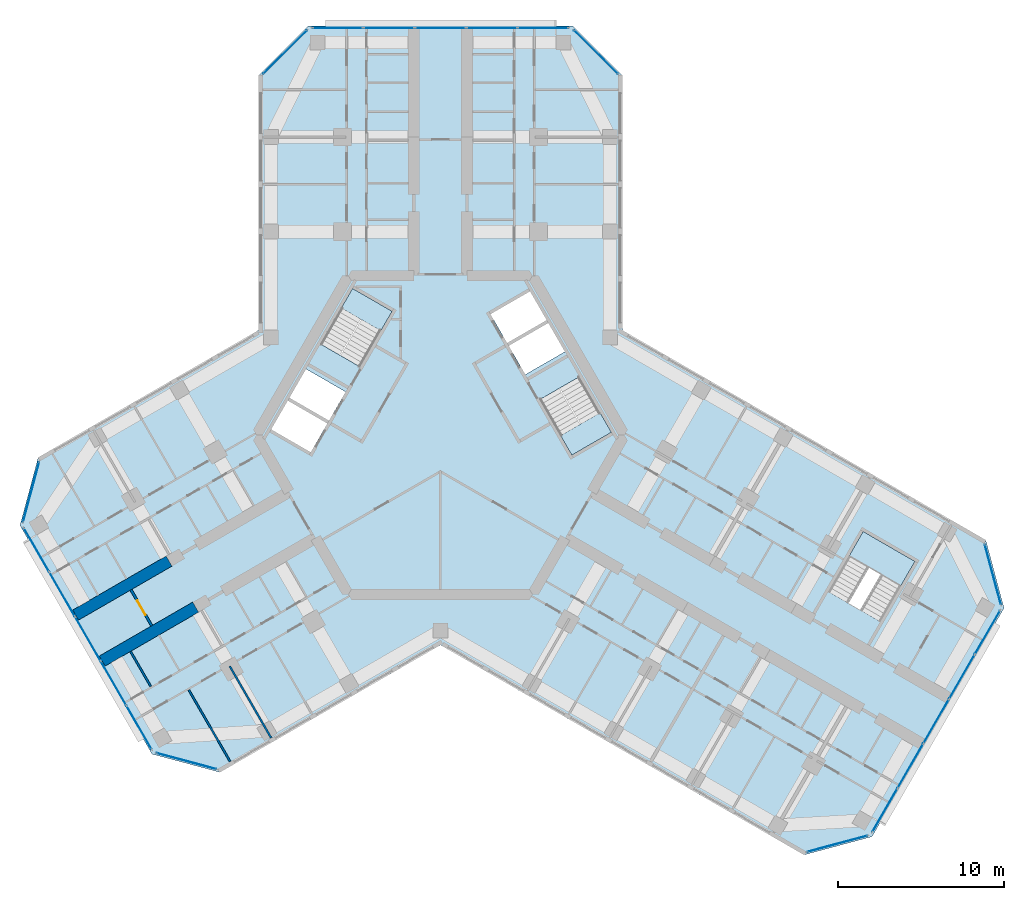
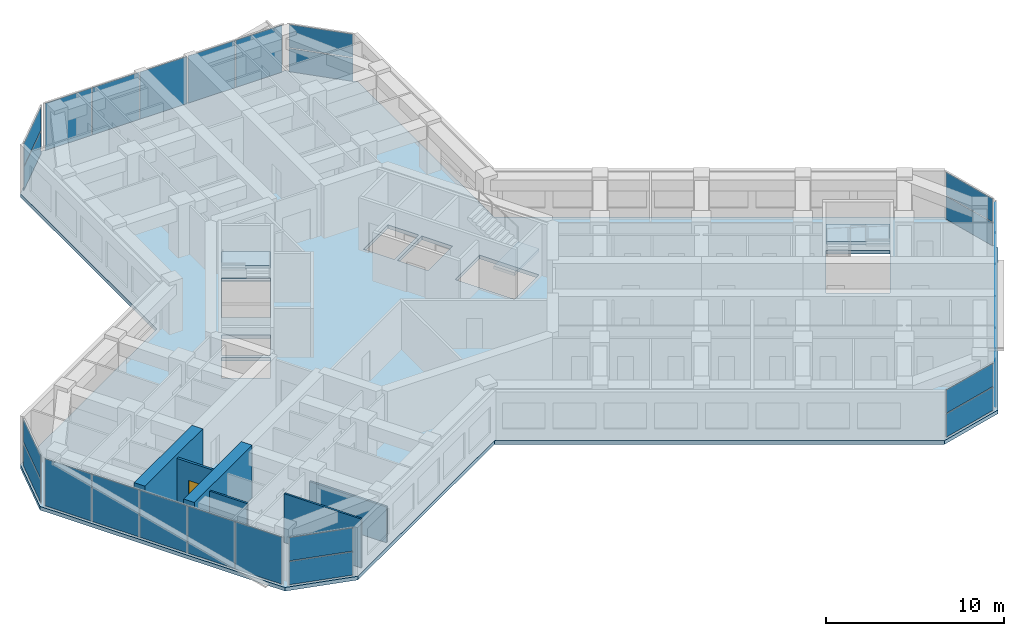
# One storey, part 7 of 16: 27 plates, 6 walls, 4 slabs, 1 door, 1 opening, 12 elements without a shape of their own.
"""IFC4 building model written with IfcOpenShell, lengths in metres."""

from ifc_helpers import new_model, si_unit, direction, frame, frame_2d, origin, origin_2d, place, context, subcontext, project, spatial, polyline, rectangle, outline, extrude, material, layer, layer_set, type_object, element, fill, aggregate, save


model = new_model("IFC4")

# Units and contexts
model_context = context("Model", 3, precision=1e-05, world=origin(), true_north=direction((0.0, 1.0)))
body_context = subcontext(model_context, "Body", "Model", "MODEL_VIEW")
ifc_project = project(units=[si_unit("LENGTHUNIT", "METRE"), si_unit("AREAUNIT", "SQUARE_METRE"), si_unit("VOLUMEUNIT", "CUBIC_METRE"), si_unit("PLANEANGLEUNIT", "RADIAN"), si_unit("MASSUNIT", "GRAM", prefix="KILO")], contexts=[model_context])

# Site, building, storey
site_placement = place(None, origin())
site = spatial("IfcSite", under=ifc_project, at=site_placement, CompositionType="ELEMENT")
building_placement = place(site_placement, origin())
building = spatial("IfcBuilding", under=site, at=building_placement, Name="Kosmar Iwan School Tower", CompositionType="ELEMENT")
storey_placement = place(building_placement, frame((0.0, 0.0, 211.800048828125)))
storey = spatial("IfcBuildingStorey", under=building, at=storey_placement, Name="L53", CompositionType="ELEMENT", Elevation=211.800048828125)

# Curtain wall, plates
ifc_material_1 = material(Name="Dark glass in black aluminium frame", Category="aluminium")
curtain_wall_type_1 = type_object("IfcCurtainWallType", Name="Chamfer curtain wall dark glass", PredefinedType="USERDEFINED", material=ifc_material_1)
curtain_wall_1_placement = place(storey_placement, origin())
curtain_wall_1 = element("IfcCurtainWall", 1, at=curtain_wall_1_placement, inside=storey, type_object=curtain_wall_type_1, Name="Curtain wall L53-F00", ObjectType="FACETED CURTAIN WALL", PredefinedType="USERDEFINED")
ifc_material_2 = material(Name="Dark glass", Category="glass")
ifc_layer_1 = layer(ifc_material_2, 0.028076171875)
ifc_layer_set_1 = layer_set([ifc_layer_1], Name="Dark glass panel 28")
plate_type = type_object("IfcPlateType", Name="Dark glass panel 28", PredefinedType="CURTAIN_PANEL", material=ifc_layer_set_1)
plate_1_placement = place(storey_placement, frame((23.908203125, -24.61328125, 0.06005859375), z_axis=(0.0, 0.0, 1.0), x_axis=(0.965925875495, 0.258818861462, 0.0)))
plate_1 = element("IfcPlate", 2, at=plate_1_placement, type_object=plate_type, Name="CW2 panel 1.1", PredefinedType="CURTAIN_PANEL", context=body_context, shape_type="SweptSolid", body=[
    extrude(rectangle(XDim=3.718994140625, YDim=0.028076171875, at=origin_2d()), origin(), (0.0, 0.0, 1.0), 1.5849609375),
])
plate_2_placement = place(storey_placement, frame((23.908203125, -24.61328125, 1.705078125), z_axis=(0.0, 0.0, 1.0), x_axis=(0.965925875495, 0.258818861462, 0.0)))
plate_2 = element("IfcPlate", 3, at=plate_2_placement, type_object=plate_type, Name="CW2 panel 1.2", PredefinedType="CURTAIN_PANEL", context=body_context, shape_type="SweptSolid", body=[
    extrude(rectangle(XDim=3.718994140625, YDim=0.028076171875, at=origin_2d()), origin(), (0.0, 0.0, 1.0), 1.5849609375),
])
aggregate(curtain_wall_1, [plate_1, plate_2])

ifc_material_3 = material(Name="Dark glass in black aluminium frame", Category="aluminium")
curtain_wall_type_2 = type_object("IfcCurtainWallType", Name="Tower curtain wall dark glass", PredefinedType="USERDEFINED", material=ifc_material_3)
curtain_wall_2_placement = place(storey_placement, origin())
curtain_wall_2 = element("IfcCurtainWall", 4, at=curtain_wall_2_placement, inside=storey, type_object=curtain_wall_type_2, Name="Curtain wall L53-F01", ObjectType="UNITISED CURTAIN WALL", PredefinedType="USERDEFINED")
plate_3_placement = place(storey_placement, frame((26.764404296875, -22.592529296875, 0.06005859375), z_axis=(0.0, 0.0, 1.0), x_axis=(0.499999997325, 0.866025405329, 0.0)))
plate_3 = element("IfcPlate", 5, at=plate_3_placement, type_object=plate_type, Name="CW1 panel 1.1", PredefinedType="CURTAIN_PANEL", context=body_context, shape_type="SweptSolid", body=[
    extrude(rectangle(XDim=3.00927734375, YDim=0.028076171875, at=origin_2d()), origin(), (0.0, 0.0, 1.0), 3.22998046875),
])
plate_4_placement = place(storey_placement, frame((28.306640625, -19.921630859375, 0.06005859375), z_axis=(0.0, 0.0, 1.0), x_axis=(0.499999997325, 0.866025405329, 0.0)))
plate_4 = element("IfcPlate", 6, at=plate_4_placement, type_object=plate_type, Name="CW1 panel 2.1", PredefinedType="CURTAIN_PANEL", context=body_context, shape_type="SweptSolid", body=[
    extrude(rectangle(XDim=3.039306640625, YDim=0.028076171875, at=origin_2d()), origin(), (0.0, 0.0, 1.0), 3.22998046875),
])
plate_5_placement = place(storey_placement, frame((29.856201171875, -17.237548828125, 0.06005859375), z_axis=(0.0, 0.0, 1.0), x_axis=(0.499999997325, 0.866025405329, 0.0)))
plate_5 = element("IfcPlate", 7, at=plate_5_placement, type_object=plate_type, Name="CW1 panel 3.1", PredefinedType="CURTAIN_PANEL", context=body_context, shape_type="SweptSolid", body=[
    extrude(rectangle(XDim=3.039306640625, YDim=0.028076171875, at=origin_2d()), origin(), (0.0, 0.0, 1.0), 3.22998046875),
])
plate_6_placement = place(storey_placement, frame((31.40576171875, -14.553466796875, 0.06005859375), z_axis=(0.0, 0.0, 1.0), x_axis=(0.499999997325, 0.866025405329, 0.0)))
plate_6 = element("IfcPlate", 8, at=plate_6_placement, type_object=plate_type, Name="CW1 panel 4.1", PredefinedType="CURTAIN_PANEL", context=body_context, shape_type="SweptSolid", body=[
    extrude(rectangle(XDim=3.039306640625, YDim=0.028076171875, at=origin_2d()), origin(), (0.0, 0.0, 1.0), 3.22998046875),
])
plate_7_placement = place(storey_placement, frame((32.947998046875, -11.88232421875, 0.06005859375), z_axis=(0.0, 0.0, 1.0), x_axis=(0.499999997325, 0.866025405329, 0.0)))
plate_7 = element("IfcPlate", 9, at=plate_7_placement, type_object=plate_type, Name="CW1 panel 5.1", PredefinedType="CURTAIN_PANEL", context=body_context, shape_type="SweptSolid", body=[
    extrude(rectangle(XDim=3.00927734375, YDim=0.028076171875, at=origin_2d()), origin(), (0.0, 0.0, 1.0), 3.22998046875),
])
aggregate(curtain_wall_2, [plate_3, plate_4, plate_5, plate_6, plate_7])

curtain_wall_3_placement = place(storey_placement, origin())
curtain_wall_3 = element("IfcCurtainWall", 10, at=curtain_wall_3_placement, inside=storey, type_object=curtain_wall_type_1, Name="Curtain wall L53-F02", ObjectType="FACETED CURTAIN WALL", PredefinedType="USERDEFINED")
plate_8_placement = place(storey_placement, frame((33.269775390625, -8.3984375, 0.06005859375), z_axis=(0.0, 0.0, 1.0), x_axis=(-0.258818861462, 0.965925875495, 0.0)))
plate_8 = element("IfcPlate", 11, at=plate_8_placement, type_object=plate_type, Name="CW2 panel 1.1", PredefinedType="CURTAIN_PANEL", context=body_context, shape_type="SweptSolid", body=[
    extrude(rectangle(XDim=3.718994140625, YDim=0.028076171875, at=origin_2d()), origin(), (0.0, 0.0, 1.0), 1.5849609375),
])
plate_9_placement = place(storey_placement, frame((33.269775390625, -8.3984375, 1.705078125), z_axis=(0.0, 0.0, 1.0), x_axis=(-0.258818861462, 0.965925875495, 0.0)))
plate_9 = element("IfcPlate", 12, at=plate_9_placement, type_object=plate_type, Name="CW2 panel 1.2", PredefinedType="CURTAIN_PANEL", context=body_context, shape_type="SweptSolid", body=[
    extrude(rectangle(XDim=3.718994140625, YDim=0.028076171875, at=origin_2d()), origin(), (0.0, 0.0, 1.0), 1.5849609375),
])
aggregate(curtain_wall_3, [plate_8, plate_9])

curtain_wall_4_placement = place(storey_placement, origin())
curtain_wall_4 = element("IfcCurtainWall", 13, at=curtain_wall_4_placement, inside=storey, type_object=curtain_wall_type_1, Name="Curtain wall L53-F05", ObjectType="FACETED CURTAIN WALL", PredefinedType="USERDEFINED")
plate_10_placement = place(storey_placement, frame((9.361572265625, 23.0615234375, 0.06005859375), z_axis=(0.0, 0.0, 1.0), x_axis=(-0.707106781187, 0.707106781187, 0.0)))
plate_10 = element("IfcPlate", 14, at=plate_10_placement, type_object=plate_type, Name="CW2 panel 1.1", PredefinedType="CURTAIN_PANEL", context=body_context, shape_type="SweptSolid", body=[
    extrude(rectangle(XDim=3.718994140625, YDim=0.028076171875, at=origin_2d()), origin(), (0.0, 0.0, 1.0), 1.5849609375),
])
plate_11_placement = place(storey_placement, frame((9.361572265625, 23.0615234375, 1.705078125), z_axis=(0.0, 0.0, 1.0), x_axis=(-0.707106781187, 0.707106781187, 0.0)))
plate_11 = element("IfcPlate", 15, at=plate_11_placement, type_object=plate_type, Name="CW2 panel 1.2", PredefinedType="CURTAIN_PANEL", context=body_context, shape_type="SweptSolid", body=[
    extrude(rectangle(XDim=3.718994140625, YDim=0.028076171875, at=origin_2d()), origin(), (0.0, 0.0, 1.0), 1.5849609375),
])
aggregate(curtain_wall_4, [plate_10, plate_11])

curtain_wall_5_placement = place(storey_placement, origin())
curtain_wall_5 = element("IfcCurtainWall", 16, at=curtain_wall_5_placement, inside=storey, type_object=curtain_wall_type_2, Name="Curtain wall L53-F06", ObjectType="UNITISED CURTAIN WALL", PredefinedType="USERDEFINED")
plate_12_placement = place(storey_placement, frame((6.18359375, 24.52490234375, 0.06005859375), z_axis=(0.0, 0.0, 1.0), x_axis=(-1.0, 0.0, 0.0)))
plate_12 = element("IfcPlate", 17, at=plate_12_placement, type_object=plate_type, Name="CW1 panel 1.1", PredefinedType="CURTAIN_PANEL", context=body_context, shape_type="SweptSolid", body=[
    extrude(rectangle(XDim=3.00927734375, YDim=0.028076171875, at=origin_2d()), origin(), (0.0, 0.0, 1.0), 3.22998046875),
])
plate_13_placement = place(storey_placement, frame((3.099365234375, 24.52490234375, 0.06005859375), z_axis=(0.0, 0.0, 1.0), x_axis=(-1.0, 0.0, 0.0)))
plate_13 = element("IfcPlate", 18, at=plate_13_placement, type_object=plate_type, Name="CW1 panel 2.1", PredefinedType="CURTAIN_PANEL", context=body_context, shape_type="SweptSolid", body=[
    extrude(rectangle(XDim=3.039306640625, YDim=0.028076171875, at=origin_2d()), origin(), (0.0, 0.0, 1.0), 3.22998046875),
])
plate_14_placement = place(storey_placement, frame((0.0, 24.52490234375, 0.06005859375), z_axis=(0.0, 0.0, 1.0), x_axis=(-1.0, 0.0, 0.0)))
plate_14 = element("IfcPlate", 19, at=plate_14_placement, type_object=plate_type, Name="CW1 panel 3.1", PredefinedType="CURTAIN_PANEL", context=body_context, shape_type="SweptSolid", body=[
    extrude(rectangle(XDim=3.039306640625, YDim=0.028076171875, at=origin_2d()), origin(), (0.0, 0.0, 1.0), 3.22998046875),
])
plate_15_placement = place(storey_placement, frame((-3.099365234375, 24.52490234375, 0.06005859375), z_axis=(0.0, 0.0, 1.0), x_axis=(-1.0, 0.0, 0.0)))
plate_15 = element("IfcPlate", 20, at=plate_15_placement, type_object=plate_type, Name="CW1 panel 4.1", PredefinedType="CURTAIN_PANEL", context=body_context, shape_type="SweptSolid", body=[
    extrude(rectangle(XDim=3.039306640625, YDim=0.028076171875, at=origin_2d()), origin(), (0.0, 0.0, 1.0), 3.22998046875),
])
plate_16_placement = place(storey_placement, frame((-6.18359375, 24.52490234375, 0.06005859375), z_axis=(0.0, 0.0, 1.0), x_axis=(-1.0, 0.0, 0.0)))
plate_16 = element("IfcPlate", 21, at=plate_16_placement, type_object=plate_type, Name="CW1 panel 5.1", PredefinedType="CURTAIN_PANEL", context=body_context, shape_type="SweptSolid", body=[
    extrude(rectangle(XDim=3.00927734375, YDim=0.028076171875, at=origin_2d()), origin(), (0.0, 0.0, 1.0), 3.22998046875),
])
aggregate(curtain_wall_5, [plate_12, plate_13, plate_14, plate_15, plate_16])

curtain_wall_6_placement = place(storey_placement, origin())
curtain_wall_6 = element("IfcCurtainWall", 22, at=curtain_wall_6_placement, inside=storey, type_object=curtain_wall_type_1, Name="Curtain wall L53-F07", ObjectType="FACETED CURTAIN WALL", PredefinedType="USERDEFINED")
plate_17_placement = place(storey_placement, frame((-9.361572265625, 23.0615234375, 0.06005859375), z_axis=(0.0, 0.0, 1.0), x_axis=(-0.707106781187, -0.707106781187, 0.0)))
plate_17 = element("IfcPlate", 23, at=plate_17_placement, type_object=plate_type, Name="CW2 panel 1.1", PredefinedType="CURTAIN_PANEL", context=body_context, shape_type="SweptSolid", body=[
    extrude(rectangle(XDim=3.718994140625, YDim=0.028076171875, at=origin_2d()), origin(), (0.0, 0.0, 1.0), 1.5849609375),
])
plate_18_placement = place(storey_placement, frame((-9.361572265625, 23.0615234375, 1.705078125), z_axis=(0.0, 0.0, 1.0), x_axis=(-0.707106781187, -0.707106781187, 0.0)))
plate_18 = element("IfcPlate", 24, at=plate_18_placement, type_object=plate_type, Name="CW2 panel 1.2", PredefinedType="CURTAIN_PANEL", context=body_context, shape_type="SweptSolid", body=[
    extrude(rectangle(XDim=3.718994140625, YDim=0.028076171875, at=origin_2d()), origin(), (0.0, 0.0, 1.0), 1.5849609375),
])
aggregate(curtain_wall_6, [plate_17, plate_18])

curtain_wall_7_placement = place(storey_placement, origin())
curtain_wall_7 = element("IfcCurtainWall", 25, at=curtain_wall_7_placement, inside=storey, type_object=curtain_wall_type_1, Name="Curtain wall L53-F10", ObjectType="FACETED CURTAIN WALL", PredefinedType="USERDEFINED")
plate_19_placement = place(storey_placement, frame((-24.65283203125, -3.42333984375, 0.06005859375), z_axis=(0.0, 0.0, 1.0), x_axis=(-0.258818861462, -0.965925875495, 0.0)))
plate_19 = element("IfcPlate", 26, at=plate_19_placement, type_object=plate_type, Name="CW2 panel 1.1", PredefinedType="CURTAIN_PANEL", context=body_context, shape_type="SweptSolid", body=[
    extrude(rectangle(XDim=3.718994140625, YDim=0.028076171875, at=origin_2d()), origin(), (0.0, 0.0, 1.0), 1.5849609375),
])
plate_20_placement = place(storey_placement, frame((-24.65283203125, -3.42333984375, 1.705078125), z_axis=(0.0, 0.0, 1.0), x_axis=(-0.258818861462, -0.965925875495, 0.0)))
plate_20 = element("IfcPlate", 27, at=plate_20_placement, type_object=plate_type, Name="CW2 panel 1.2", PredefinedType="CURTAIN_PANEL", context=body_context, shape_type="SweptSolid", body=[
    extrude(rectangle(XDim=3.718994140625, YDim=0.028076171875, at=origin_2d()), origin(), (0.0, 0.0, 1.0), 1.5849609375),
])
aggregate(curtain_wall_7, [plate_19, plate_20])

curtain_wall_8_placement = place(storey_placement, origin())
curtain_wall_8 = element("IfcCurtainWall", 28, at=curtain_wall_8_placement, inside=storey, type_object=curtain_wall_type_2, Name="Curtain wall L53-F11", ObjectType="UNITISED CURTAIN WALL", PredefinedType="USERDEFINED")
plate_21_placement = place(storey_placement, frame((-24.3310546875, -6.907470703125, 0.06005859375), z_axis=(0.0, 0.0, 1.0), x_axis=(0.499999997325, -0.866025405329, 0.0)))
plate_21 = element("IfcPlate", 29, at=plate_21_placement, type_object=plate_type, Name="CW1 panel 1.1", PredefinedType="CURTAIN_PANEL", context=body_context, shape_type="SweptSolid", body=[
    extrude(rectangle(XDim=3.00927734375, YDim=0.028076171875, at=origin_2d()), origin(), (0.0, 0.0, 1.0), 3.22998046875),
])
plate_22_placement = place(storey_placement, frame((-22.788818359375, -9.578369140625, 0.06005859375), z_axis=(0.0, 0.0, 1.0), x_axis=(0.499999997325, -0.866025405329, 0.0)))
plate_22 = element("IfcPlate", 30, at=plate_22_placement, type_object=plate_type, Name="CW1 panel 2.1", PredefinedType="CURTAIN_PANEL", context=body_context, shape_type="SweptSolid", body=[
    extrude(rectangle(XDim=3.039306640625, YDim=0.028076171875, at=origin_2d()), origin(), (0.0, 0.0, 1.0), 3.22998046875),
])
plate_23_placement = place(storey_placement, frame((-21.2392578125, -12.262451171875, 0.06005859375), z_axis=(0.0, 0.0, 1.0), x_axis=(0.499999997325, -0.866025405329, 0.0)))
plate_23 = element("IfcPlate", 31, at=plate_23_placement, type_object=plate_type, Name="CW1 panel 3.1", PredefinedType="CURTAIN_PANEL", context=body_context, shape_type="SweptSolid", body=[
    extrude(rectangle(XDim=3.039306640625, YDim=0.028076171875, at=origin_2d()), origin(), (0.0, 0.0, 1.0), 3.22998046875),
])
plate_24_placement = place(storey_placement, frame((-19.689697265625, -14.946533203125, 0.06005859375), z_axis=(0.0, 0.0, 1.0), x_axis=(0.499999997325, -0.866025405329, 0.0)))
plate_24 = element("IfcPlate", 32, at=plate_24_placement, type_object=plate_type, Name="CW1 panel 4.1", PredefinedType="CURTAIN_PANEL", context=body_context, shape_type="SweptSolid", body=[
    extrude(rectangle(XDim=3.039306640625, YDim=0.028076171875, at=origin_2d()), origin(), (0.0, 0.0, 1.0), 3.22998046875),
])
plate_25_placement = place(storey_placement, frame((-18.1474609375, -17.61767578125, 0.06005859375), z_axis=(0.0, 0.0, 1.0), x_axis=(0.499999997325, -0.866025405329, 0.0)))
plate_25 = element("IfcPlate", 33, at=plate_25_placement, type_object=plate_type, Name="CW1 panel 5.1", PredefinedType="CURTAIN_PANEL", context=body_context, shape_type="SweptSolid", body=[
    extrude(rectangle(XDim=3.00927734375, YDim=0.028076171875, at=origin_2d()), origin(), (0.0, 0.0, 1.0), 3.22998046875),
])
aggregate(curtain_wall_8, [plate_21, plate_22, plate_23, plate_24, plate_25])

curtain_wall_9_placement = place(storey_placement, origin())
curtain_wall_9 = element("IfcCurtainWall", 34, at=curtain_wall_9_placement, inside=storey, type_object=curtain_wall_type_1, Name="Curtain wall L53-F12", ObjectType="FACETED CURTAIN WALL", PredefinedType="USERDEFINED")
plate_26_placement = place(storey_placement, frame((-15.291015625, -19.63818359375, 0.06005859375), z_axis=(0.0, 0.0, 1.0), x_axis=(0.965925875495, -0.258818861462, 0.0)))
plate_26 = element("IfcPlate", 35, at=plate_26_placement, type_object=plate_type, Name="CW2 panel 1.1", PredefinedType="CURTAIN_PANEL", context=body_context, shape_type="SweptSolid", body=[
    extrude(rectangle(XDim=3.718994140625, YDim=0.028076171875, at=origin_2d()), origin(), (0.0, 0.0, 1.0), 1.5849609375),
])
plate_27_placement = place(storey_placement, frame((-15.291015625, -19.63818359375, 1.705078125), z_axis=(0.0, 0.0, 1.0), x_axis=(0.965925875495, -0.258818861462, 0.0)))
plate_27 = element("IfcPlate", 36, at=plate_27_placement, type_object=plate_type, Name="CW2 panel 1.2", PredefinedType="CURTAIN_PANEL", context=body_context, shape_type="SweptSolid", body=[
    extrude(rectangle(XDim=3.718994140625, YDim=0.028076171875, at=origin_2d()), origin(), (0.0, 0.0, 1.0), 1.5849609375),
])
aggregate(curtain_wall_9, [plate_26, plate_27])

# Stair, slab
ifc_material_4 = material(Name="Concrete C35/45", Category="concrete")
stair_type_1 = type_object("IfcStairType", Name="Escape stair 3600", PredefinedType="HALF_TURN_STAIR", material=ifc_material_4)
stair_1_placement = place(storey_placement, origin())
stair_1 = element("IfcStair", 37, at=stair_1_placement, inside=storey, type_object=stair_type_1, Name="Stair WS3 L53", PredefinedType="HALF_TURN_STAIR")
ifc_material_5 = material(Name="Concrete C35/45", Category="concrete")
ifc_layer_2 = layer(ifc_material_5, 0.199951171875)
ifc_layer_set_2 = layer_set([ifc_layer_2], Name="Escape stair landing 200")
slab_type_1 = type_object("IfcSlabType", Name="Escape stair landing 200", PredefinedType="LANDING", material=ifc_layer_set_2)
slab_1_placement = place(storey_placement, frame((0.0, 0.0, 1.599853515625)))
slab_1 = element("IfcSlab", 38, at=slab_1_placement, type_object=slab_type_1, Name="WS3 landing 1", PredefinedType="LANDING", context=body_context, shape_type="SweptSolid", body=[
    extrude(outline(polyline([(24.607421875, -7.27880859375), (27.72509765625, -9.078857421875), (28.574951171875, -7.606689453125), (25.457275390625, -5.806640625), (24.607421875, -7.27880859375)])), origin(), (0.0, 0.0, 1.0), 0.2001953125),
])
aggregate(stair_1, [slab_1])

# Slab
ifc_material_6 = material(Name="Concrete C35/45", Category="concrete")
ifc_layer_3 = layer(ifc_material_6, 0.25)
ifc_layer_set_3 = layer_set([ifc_layer_3], Name="Floor slab 250")
slab_type_2 = type_object("IfcSlabType", Name="Floor slab 250", PredefinedType="FLOOR", material=ifc_layer_set_3)
slab_2_placement = place(storey_placement, frame((0.0, 0.0, -0.25)))
element("IfcSlab", 39, at=slab_2_placement, inside=storey, type_object=slab_type_2, Name="L53 floor slab", PredefinedType="FLOOR", context=body_context, shape_type="SweptSolid", body=[
    extrude(outline(polyline([(21.891357421875, -25.282958984375), (25.989501953125, -24.184814453125), (33.939453125, -10.4150390625), (32.84130859375, -6.317138671875), (10.949951171875, 6.322021484375), (10.949951171875, 21.64990234375), (7.949951171875, 24.64990234375), (-7.949951171875, 24.64990234375), (-10.949951171875, 21.64990234375), (-10.949951171875, 6.322021484375), (-24.224365234375, -1.342041015625), (-25.322509765625, -5.440185546875), (-17.37255859375, -19.2099609375), (-13.2744140625, -20.307861328125), (0.0, -12.64404296875), (21.891357421875, -25.282958984375)]), holes=[polyline([(7.91259765625, -1.205078125), (10.294189453125, 0.169921875), (8.3642578125, 3.5126953125), (5.982666015625, 2.1376953125), (7.91259765625, -1.205078125)]), polyline([(-2.91259765625, 7.455078125), (-5.294189453125, 8.830078125), (-7.22412109375, 5.4873046875), (-4.8427734375, 4.1123046875), (-2.91259765625, 7.455078125)]), polyline([(-5.712646484375, 2.60546875), (-8.09423828125, 3.98046875), (-9.09423828125, 2.248291015625), (-6.712646484375, 0.873291015625), (-5.712646484375, 2.60546875)]), polyline([(-6.812744140625, 0.7001953125), (-9.1943359375, 2.0751953125), (-10.1943359375, 0.343017578125), (-7.812744140625, -1.031982421875), (-6.812744140625, 0.7001953125)]), polyline([(5.112548828125, 3.64453125), (7.494140625, 5.01953125), (6.494140625, 6.751708984375), (4.112548828125, 5.376708984375), (5.112548828125, 3.64453125)]), polyline([(4.0126953125, 5.5498046875), (6.394287109375, 6.9248046875), (5.394287109375, 8.656982421875), (3.0126953125, 7.281982421875), (4.0126953125, 5.5498046875)]), polyline([(23.367431640625, -9.426513671875), (26.485107421875, -11.2265625), (28.574951171875, -7.606689453125), (25.457275390625, -5.806640625), (23.367431640625, -9.426513671875)])]), origin(), (0.0, 0.0, 1.0), 0.25),
])

# Stair, slab
ifc_material_7 = material(Name="Concrete C35/45", Category="concrete")
stair_type_2 = type_object("IfcStairType", Name="Core stair 2750", PredefinedType="HALF_TURN_STAIR", material=ifc_material_7)
stair_2_placement = place(storey_placement, origin())
stair_2 = element("IfcStair", 40, at=stair_2_placement, inside=storey, type_object=stair_type_2, Name="Stair ST2 L53", PredefinedType="HALF_TURN_STAIR")
ifc_material_8 = material(Name="Concrete C35/45", Category="concrete")
ifc_layer_4 = layer(ifc_material_8, 0.199951171875)
ifc_layer_set_4 = layer_set([ifc_layer_4], Name="Stair landing 200")
slab_type_3 = type_object("IfcSlabType", Name="Stair landing 200", PredefinedType="LANDING", material=ifc_layer_set_4)
slab_3_placement = place(storey_placement, frame((0.0, 0.0, 1.599853515625)))
slab_3 = element("IfcSlab", 41, at=slab_3_placement, type_object=slab_type_3, Name="ST2 landing 1", PredefinedType="LANDING", context=body_context, shape_type="SweptSolid", body=[
    extrude(outline(polyline([(-2.91259765625, 7.455078125), (-5.294189453125, 8.830078125), (-5.97412109375, 7.65234375), (-3.5927734375, 6.27734375), (-2.91259765625, 7.455078125)])), origin(), (0.0, 0.0, 1.0), 0.2001953125),
])
aggregate(stair_2, [slab_3])

stair_3_placement = place(storey_placement, origin())
stair_3 = element("IfcStair", 42, at=stair_3_placement, inside=storey, type_object=stair_type_2, Name="Stair ST1 L53", PredefinedType="HALF_TURN_STAIR")
slab_4_placement = place(storey_placement, frame((0.0, 0.0, 1.599853515625)))
slab_4 = element("IfcSlab", 43, at=slab_4_placement, type_object=slab_type_3, Name="ST1 landing 1", PredefinedType="LANDING", context=body_context, shape_type="SweptSolid", body=[
    extrude(outline(polyline([(7.91259765625, -1.205078125), (10.294189453125, 0.169921875), (9.6142578125, 1.34765625), (7.232666015625, -0.02734375), (7.91259765625, -1.205078125)])), origin(), (0.0, 0.0, 1.0), 0.2001953125),
])
aggregate(stair_3, [slab_4])

# Walls
ifc_material_9 = material(Name="Concrete C50/60", Category="concrete")
ifc_layer_5 = layer(ifc_material_9, 0.699951171875)
ifc_layer_set_5 = layer_set([ifc_layer_5], Name="Corridor buttress wall 700")
wall_type_1 = type_object("IfcWallType", Name="Corridor buttress wall 700", PredefinedType="SHEAR", material=ifc_layer_set_5)
wall_1_placement = place(storey_placement, frame((-14.7451171875, -10.360595703125, 0.0), z_axis=(0.0, 0.0, 1.0), x_axis=(-0.866027848477, -0.499995765644, 0.0)))
element("IfcWall", 44, at=wall_1_placement, inside=storey, type_object=wall_type_1, Name="Corridor wall BL bay 2", PredefinedType="SHEAR", context=body_context, shape_type="SweptSolid", body=[
    extrude(rectangle(XDim=6.4951171875, YDim=0.699951171875, at=frame_2d((3.24755859375, 0.0))), origin(), (0.0, 0.0, 1.0), 3.599853515625),
])
wall_2_placement = place(storey_placement, frame((-16.34521484375, -7.58935546875, 0.0), z_axis=(0.0, 0.0, 1.0), x_axis=(-0.866018451174, -0.500012042081, 0.0)))
element("IfcWall", 45, at=wall_2_placement, inside=storey, type_object=wall_type_1, Name="Corridor wall BR bay 2", PredefinedType="SHEAR", context=body_context, shape_type="SweptSolid", body=[
    extrude(rectangle(XDim=6.494873046875, YDim=0.699951171875, at=frame_2d((3.24755859375, 0.0))), origin(), (0.0, 0.0, 1.0), 3.599853515625),
])

# Wall, opening, door
ifc_material_10 = material(Name="Gypsum board on steel studs, fire-rated", Category="steel")
ifc_layer_6 = layer(ifc_material_10, 0.14990234375)
ifc_layer_set_6 = layer_set([ifc_layer_6], Name="Corridor end wall 150")
wall_type_2 = type_object("IfcWallType", Name="Corridor end wall 150", PredefinedType="PARTITIONING", material=ifc_layer_set_6)
wall_3_placement = place(storey_placement, frame((-18.638427734375, -9.3173828125, 0.0), z_axis=(0.0, 0.0, 1.0), x_axis=(0.500004234368, -0.866022959057, 0.0)))
wall_3 = element("IfcWall", 46, at=wall_3_placement, inside=storey, type_object=wall_type_2, Name="Partition L53-B-CE", PredefinedType="PARTITIONING", context=body_context, shape_type="SweptSolid", body=[
    extrude(rectangle(XDim=2.5, YDim=0.14990234375, at=frame_2d((1.25, 0.0))), origin(), (0.0, 0.0, 1.0), 3.349853515625),
])
opening_placement = place(wall_3_placement, frame((0.75, 0.0, 0.0)))
opening = element("IfcOpeningElement", 47, at=opening_placement, cuts=wall_3, Name="Opening D13", PredefinedType="OPENING", context=body_context, shape_type="SweptSolid", body=[
    extrude(rectangle(XDim=1.0, YDim=2.10009765625, at=frame_2d((0.5, 1.050048828125))), frame((0.0, 0.0869140625, 0.0), z_axis=(0.0, -1.0, 0.0), x_axis=(1.0, 0.0, 0.0)), (0.0, 0.0, 1.0), 0.173828125),
])
ifc_material_11 = material(Name="Timber fire door with vision panel", Category="wood")
door_type = type_object("IfcDoorType", Name="Corridor end door 1000x2100", OperationType="SINGLE_SWING_LEFT", PredefinedType="DOOR", material=ifc_material_11)
door_placement = place(opening_placement, origin())
door = element("IfcDoor", 48, at=door_placement, inside=storey, type_object=door_type, Name="Hobby workshop door L53-B", OperationType="SINGLE_SWING_RIGHT", OverallHeight=2.10009765625, OverallWidth=1.0, PredefinedType="DOOR", context=body_context, shape_type="SweptSolid", body=[
    extrude(rectangle(XDim=1.0, YDim=2.10009765625, at=frame_2d((0.5, 1.050048828125))), frame((0.0, 0.02490234375, 0.0), z_axis=(0.0, -1.0, 0.0), x_axis=(1.0, 0.0, 0.0)), (0.0, 0.0, 1.0), 0.050048828125),
])
fill(opening, door)

# Walls
ifc_material_12 = material(Name="Gypsum board on steel studs", Category="steel")
ifc_layer_7 = layer(ifc_material_12, 0.1201171875)
ifc_layer_set_7 = layer_set([ifc_layer_7], Name="Dwelling partition 120")
wall_type_3 = type_object("IfcWallType", Name="Dwelling partition 120", PredefinedType="PARTITIONING", material=ifc_layer_set_7)
wall_4_placement = place(storey_placement, frame((-12.690185546875, -13.919921875, 0.0), z_axis=(0.0, 0.0, 1.0), x_axis=(0.500011847778, -0.866018563358, 0.0)))
element("IfcWall", 49, at=wall_4_placement, inside=storey, type_object=wall_type_3, Name="Partition L53-BL1-X2", PredefinedType="PARTITIONING", context=body_context, shape_type="SweptSolid", body=[
    extrude(rectangle(XDim=4.990234375, YDim=0.1201171875, at=frame_2d((2.4951171875, 0.0))), origin(), (0.0, 0.0, 1.0), 2.449951171875),
])
wall_5_placement = place(storey_placement, frame((-15.158447265625, -15.344970703125, 0.0), z_axis=(0.0, 0.0, 1.0), x_axis=(0.500011847778, -0.866018563358, 0.0)))
element("IfcWall", 50, at=wall_5_placement, inside=storey, type_object=wall_type_3, Name="Partition L53-BL1-X3", PredefinedType="PARTITIONING", context=body_context, shape_type="SweptSolid", body=[
    extrude(rectangle(XDim=4.990234375, YDim=0.1201171875, at=frame_2d((2.4951171875, 0.0))), origin(), (0.0, 0.0, 1.0), 3.349853515625),
])
wall_6_placement = place(storey_placement, frame((-18.665283203125, -13.028076171875, 0.0), z_axis=(0.0, 0.0, 1.0), x_axis=(0.500002508028, -0.866023955769, 0.0)))
element("IfcWall", 51, at=wall_6_placement, inside=storey, type_object=wall_type_3, Name="Partition L53-BL1-Y6", PredefinedType="PARTITIONING", context=body_context, shape_type="SweptSolid", body=[
    extrude(rectangle(XDim=2.43994140625, YDim=0.1201171875, at=frame_2d((1.219970703125, 0.0))), origin(), (0.0, 0.0, 1.0), 3.349853515625),
])

save(model, "model.ifc")
